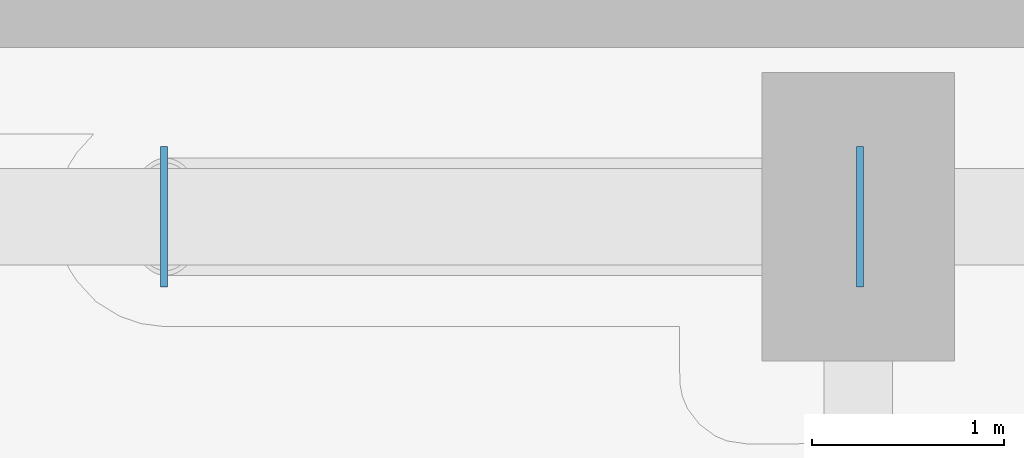
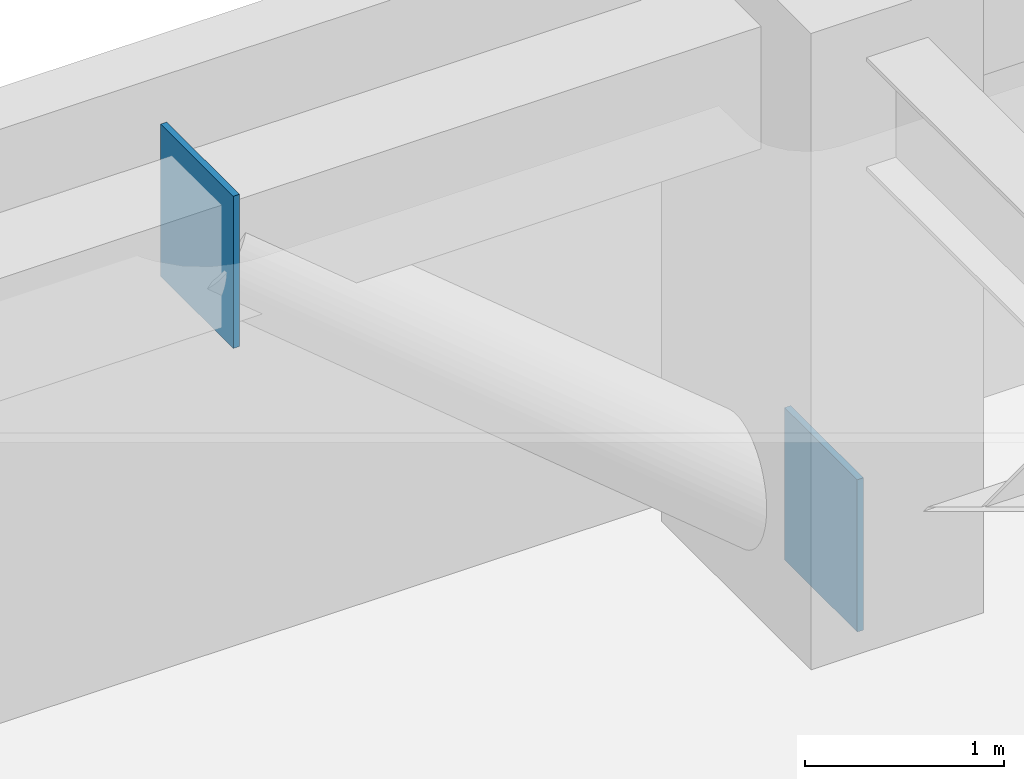
# One storey, part 21 of 28: 2 plates.
"""IFC4 building model written with IfcOpenShell, lengths in metres."""

from ifc_helpers import new_model, si_unit, direction, frame, origin, origin_2d, place, context, subcontext, project, spatial, rectangle, extrude, material, layer, layer_set, type_object, element, save


model = new_model("IFC4")

# Units and contexts
model_context = context("Model", 3, precision=1e-05, world=origin(), true_north=direction((0.0, 1.0)))
body_context = subcontext(model_context, "Body", "Model", "MODEL_VIEW")
ifc_project = project(units=[si_unit("LENGTHUNIT", "METRE"), si_unit("AREAUNIT", "SQUARE_METRE"), si_unit("VOLUMEUNIT", "CUBIC_METRE"), si_unit("PLANEANGLEUNIT", "RADIAN"), si_unit("MASSUNIT", "GRAM", prefix="KILO")], contexts=[model_context])

# Site, building, storey
site_placement = place(None, origin())
site = spatial("IfcSite", under=ifc_project, at=site_placement, CompositionType="ELEMENT")
building_placement = place(site_placement, origin())
building = spatial("IfcBuilding", under=site, at=building_placement, Name="Kiyonajd Concourse Tower", CompositionType="ELEMENT")
storey_placement = place(building_placement, frame((0.0, 0.0, 60.60009765625)))
storey = spatial("IfcBuildingStorey", under=building, at=storey_placement, Name="L16", CompositionType="ELEMENT", Elevation=60.60009765625)

# Plates
ifc_material = material(Name="Steel ASTM A572 Grade 50", Category="steel")
ifc_layer = layer(ifc_material, 0.028076171875)
ifc_layer_set = layer_set([ifc_layer], Name="Steel ASTM A572 Grade 50")
plate_type = type_object("IfcPlateType", Name="PL-CAP-450", PredefinedType="USERDEFINED", material=ifc_layer_set)
for number, where, z_axis, x_axis, name in (
    (1, (63.6083984375, 61.199951171875, -0.173583984375), (0.0, 0.0, 1.0), (1.0, 0.0, 0.0), "L16 Hollow Brace End Cap Plate PBN"),
    (2, (59.991455078125, 61.199951171875, 2.830322265625), (0.0, 0.0, 1.0), (-1.0, 0.0, 0.0), "L16 Hollow Brace Top Cap Plate PBN"),
):
    element("IfcPlate", number, at=place(storey_placement, frame(where, z_axis=z_axis, x_axis=x_axis)), inside=storey, type_object=plate_type, Name=name, ObjectType="CAP PLATE", PredefinedType="USERDEFINED", context=body_context, shape_type="SweptSolid", body=[
        extrude(rectangle(XDim=0.035888671875, YDim=0.72998046875, at=origin_2d()), origin(), (0.0, 0.0, 1.0), 0.93310546875),
    ])

save(model, "model.ifc")
